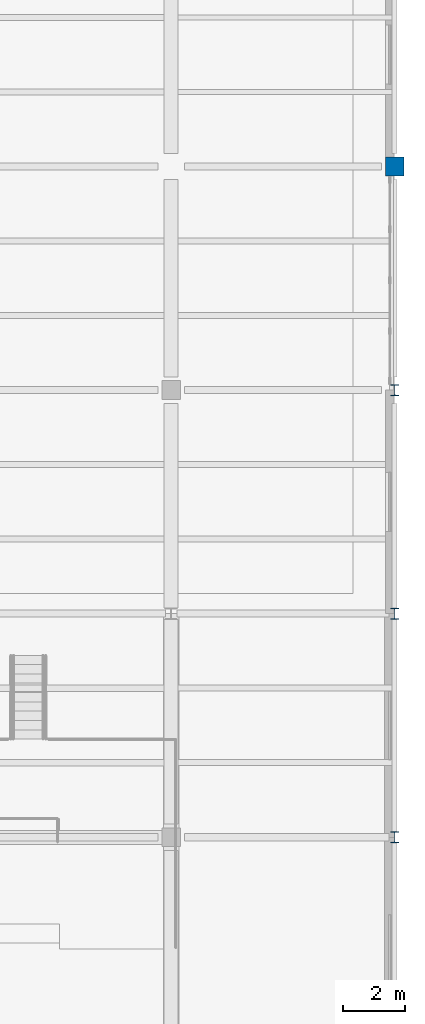
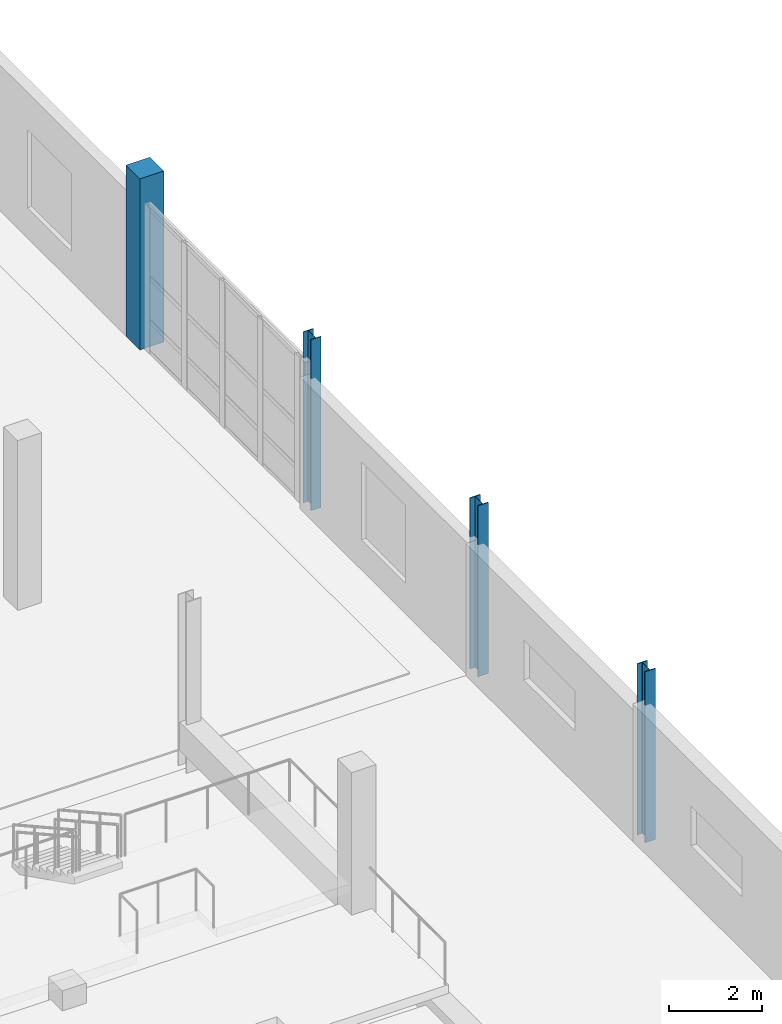
# One storey, part 21 of 123: 4 columns.
"""IFC4 building model written with IfcOpenShell, lengths in metres."""

import ifcopenshell
import ifcopenshell.guid

model = None  # the IFC model being written
_history = None  # IfcOwnerHistory: only IFC2X3 demands one
_inside = {}  # id of a spatial element -> (the spatial element, [elements in it])
_under = {}  # id of a project, library or spatial element -> (it, [spatial elements below it])
_declared = {}  # id of a project -> (the project, [libraries it declares])
_typed = {}  # id of a type object -> (the type object, [elements of that type])
_made_of = {}  # id of a material, layer set ... -> (it, [elements and type objects made of it])


def new_model(schema):
    """Start an empty IFC model of exactly this schema.

    Asked for "IFC4X3", IfcOpenShell would pick the latest addendum, in which some entities
    have other attributes; the version numbers below select the first issue.
    IFC2X3 requires an IfcOwnerHistory on every rooted entity: one is made here for all.
    """
    global model, _history
    if schema == "IFC4X3":
        model = ifcopenshell.file(schema_version=(4, 3, 0, 0))
    else:
        model = ifcopenshell.file(schema=schema)
    _inside.clear()
    _under.clear()
    _declared.clear()
    _typed.clear()
    _made_of.clear()
    _history = None
    if model.schema == "IFC2X3":
        org = make("IfcOrganization", Name="unknown")
        user = make(
            "IfcPersonAndOrganization",
            ThePerson=make("IfcPerson", FamilyName="unknown"),
            TheOrganization=org,
        )
        app = make(
            "IfcApplication",
            ApplicationDeveloper=org,
            Version="unknown",
            ApplicationFullName="unknown",
            ApplicationIdentifier="unknown",
        )
        _history = make(
            "IfcOwnerHistory",
            OwningUser=user,
            OwningApplication=app,
            ChangeAction="ADDED",
            CreationDate=0,
        )
    return model


def make(cls, **values):
    """One entity of the class cls with the attributes given. An attribute that is None is left unset."""
    return model.create_entity(
        cls, **{name: value for name, value in values.items() if value is not None}
    )


def rooted(cls, **values):
    """An entity with a GlobalId (a new one), such as an element, a storey or a relation."""
    return make(cls, GlobalId=ifcopenshell.guid.new(), OwnerHistory=_history, **values)


def si_unit(unit_type, name, prefix=None):
    """IfcSIUnit, for example si_unit("LENGTHUNIT", "METRE", prefix="MILLI")."""
    return make("IfcSIUnit", UnitType=unit_type, Prefix=prefix, Name=name)


def assignment(units):
    """IfcUnitAssignment: the units of a project."""
    return None if units is None else make("IfcUnitAssignment", Units=units)


def point(xyz):
    """IfcCartesianPoint."""
    return None if xyz is None else make("IfcCartesianPoint", Coordinates=xyz)


def direction(xyz):
    """IfcDirection."""
    return None if xyz is None else make("IfcDirection", DirectionRatios=xyz)


def frame(location, z_axis=None, x_axis=None):
    """IfcAxis2Placement3D, a coordinate frame: its origin and axes. An axis left out is left unset."""
    return make(
        "IfcAxis2Placement3D",
        Location=point(location),
        Axis=direction(z_axis),
        RefDirection=direction(x_axis),
    )


def frame_2d(location, x_axis=None):
    """IfcAxis2Placement2D, a coordinate frame in the plane: its origin and x axis."""
    return make(
        "IfcAxis2Placement2D", Location=point(location), RefDirection=direction(x_axis)
    )


def origin():
    """The frame at (0, 0, 0) with its axes left unset."""
    return frame((0.0, 0.0, 0.0))


def origin_2d():
    """The frame at (0, 0) in the plane with its x axis left unset."""
    return frame_2d((0.0, 0.0))


def place(relative_to, where):
    """IfcLocalPlacement: puts the frame where relative to a parent placement (None: the world)."""
    return make(
        "IfcLocalPlacement", PlacementRelTo=relative_to, RelativePlacement=where
    )


def context(
    kind, dimensions, precision=None, world=None, true_north=None, identifier=None
):
    """IfcGeometricRepresentationContext, for example the 3D "Model" context."""
    return make(
        "IfcGeometricRepresentationContext",
        ContextIdentifier=identifier,
        ContextType=kind,
        CoordinateSpaceDimension=dimensions,
        Precision=precision,
        WorldCoordinateSystem=world,
        TrueNorth=true_north,
    )


def subcontext(parent, identifier, kind, view, scale=None):
    """IfcGeometricRepresentationSubContext, for example "Body" below "Model"."""
    return make(
        "IfcGeometricRepresentationSubContext",
        ContextIdentifier=identifier,
        ContextType=kind,
        ParentContext=parent,
        TargetScale=scale,
        TargetView=view,
    )


def project(units=None, contexts=None):
    """IfcProject with its units and contexts."""
    return rooted(
        "IfcProject",
        Name="project",
        RepresentationContexts=contexts,
        UnitsInContext=assignment(units),
    )


def spatial(cls, under=None, at=None, **own):
    """A site, building, storey or space (cls), placed at a placement, below another one or the project."""
    s = rooted(cls, ObjectPlacement=at, **own)
    if under is not None:
        _under.setdefault(under.id(), (under, []))[1].append(s)
    return s


def profile(cls, at=None, kind="AREA", **sizes):
    """A parametric profile (cls). Its sizes go by their IFC names, for example OverallWidth=200.0."""
    return make(cls, ProfileType=kind, Position=at, **sizes)


def rectangle(**sizes):
    """IfcRectangleProfileDef."""
    return profile("IfcRectangleProfileDef", **sizes)


def i_section(**sizes):
    """IfcIShapeProfileDef."""
    return profile("IfcIShapeProfileDef", **sizes)


def extrude(swept, where, along, depth):
    """IfcExtrudedAreaSolid: the profile swept, set in the frame where, extruded along a direction by depth."""
    return make(
        "IfcExtrudedAreaSolid",
        SweptArea=swept,
        Position=where,
        ExtrudedDirection=direction(along),
        Depth=depth,
    )


def shape(context_of_items, identifier, shape_type, items):
    """IfcShapeRepresentation: the items that make up one representation, for example the "Body"."""
    return make(
        "IfcShapeRepresentation",
        ContextOfItems=context_of_items,
        RepresentationIdentifier=identifier,
        RepresentationType=shape_type,
        Items=items,
    )


def material(Name=None, Category=None):
    """IfcMaterial."""
    return make("IfcMaterial", Name=Name, Category=Category)


def material_profile(
    of_material, cross_section, Name=None, Category=None, Priority=None
):
    """IfcMaterialProfile: a cross section and its material."""
    return make(
        "IfcMaterialProfile",
        Name=Name,
        Material=of_material,
        Profile=cross_section,
        Priority=Priority,
        Category=Category,
    )


def profile_set(profiles, Name=None, composite=None):
    """IfcMaterialProfileSet."""
    return make(
        "IfcMaterialProfileSet",
        Name=Name,
        MaterialProfiles=profiles,
        CompositeProfile=composite,
    )


def made_of(thing, what):
    """Note that an element or type object is made of a material, layer set ...; save() writes the relation."""
    if what is not None:
        _made_of.setdefault(what.id(), (what, []))[1].append(thing)
    return thing


def type_object(cls, material=None, **own):
    """A type object (cls), such as IfcWallType, which elements share."""
    return made_of(rooted(cls, **own), material)


def element(
    cls,
    number,
    at=None,
    inside=None,
    cuts=None,
    type_object=None,
    material=None,
    context=None,
    identifier="Body",
    shape_type=None,
    held_by="IfcProductDefinitionShape",
    body=None,
    shapes=None,
    **own,
):
    """One element of the class cls, such as IfcWall. Its Tag is "e" and its number.

    at: its placement. inside: the storey or other place that contains it. cuts: it is an
    opening in that element (IfcRelVoidsElement). A single representation is given by context,
    identifier, shape_type and body (its items); several are given by shapes. held_by: the class
    of the entity that holds the representations. save() writes the other relations.
    """
    e = rooted(cls, Tag="e%d" % number, ObjectPlacement=at, **own)
    if body is not None:
        shapes = [shape(context, identifier, shape_type, body)]
    if shapes is not None:
        e.Representation = make(held_by, Representations=shapes)
    if inside is not None:
        _inside.setdefault(inside.id(), (inside, []))[1].append(e)
    if cuts is not None:
        rooted(
            "IfcRelVoidsElement", RelatingBuildingElement=cuts, RelatedOpeningElement=e
        )
    if type_object is not None:
        _typed.setdefault(type_object.id(), (type_object, []))[1].append(e)
    return made_of(e, material)


def aggregate(whole, parts):
    """IfcRelAggregates: a whole, such as a stair, and the parts it consists of."""
    return rooted("IfcRelAggregates", RelatingObject=whole, RelatedObjects=parts)


def save(model, path):
    """Write the relations noted so far, then the file.

    IfcRelAggregates (storeys below a building ...), IfcRelContainedInSpatialStructure (elements
    in a storey), IfcRelDefinesByType, IfcRelAssociatesMaterial and IfcRelDeclares: one each for
    every whole, place, type object, material and project.
    """
    for whole, parts in _under.values():
        aggregate(whole, parts)
    for where, things in _inside.values():
        rooted(
            "IfcRelContainedInSpatialStructure",
            RelatedElements=things,
            RelatingStructure=where,
        )
    for kind, things in _typed.values():
        rooted("IfcRelDefinesByType", RelatedObjects=things, RelatingType=kind)
    for what, things in _made_of.values():
        rooted("IfcRelAssociatesMaterial", RelatedObjects=things, RelatingMaterial=what)
    for by, libraries in _declared.values():
        rooted("IfcRelDeclares", RelatingContext=by, RelatedDefinitions=libraries)
    model.write(path)


model = new_model("IFC4")

# Units and contexts
model_context = context("Model", 3, precision=1e-05, world=origin(), true_north=direction((0.0, 1.0)))
body_context = subcontext(model_context, "Body", "Model", "MODEL_VIEW")
ifc_project = project(units=[si_unit("LENGTHUNIT", "METRE"), si_unit("AREAUNIT", "SQUARE_METRE"), si_unit("VOLUMEUNIT", "CUBIC_METRE"), si_unit("PLANEANGLEUNIT", "RADIAN"), si_unit("MASSUNIT", "GRAM", prefix="KILO")], contexts=[model_context])

# Site, building, storey
site_placement = place(None, origin())
site = spatial("IfcSite", under=ifc_project, at=site_placement, CompositionType="ELEMENT")
building_placement = place(site_placement, origin())
building = spatial("IfcBuilding", under=site, at=building_placement, Name="Kalmorath City Hall", CompositionType="ELEMENT")
storey_placement = place(building_placement, frame((0.0, 0.0, 10.199951171875)))
storey = spatial("IfcBuildingStorey", under=building, at=storey_placement, Name="L02", CompositionType="ELEMENT", Elevation=10.199951171875)

# Columns
ifc_material_1 = material(Name="Concrete C50/60", Category="concrete")
ifc_material_profile_1 = material_profile(ifc_material_1, rectangle(XDim=0.60009765625, YDim=0.60009765625, at=origin_2d()), Name="RC-COL-600X600")
ifc_profile_set_1 = profile_set([ifc_material_profile_1], Name="Concrete C50/60")
column_type_1 = type_object("IfcColumnType", Name="Concrete column 600x600", PredefinedType="COLUMN", material=ifc_profile_set_1)
column_1_placement = place(storey_placement, frame((165.60009765625, 57.60009765625, 0.0), z_axis=(0.0, 0.0, 1.0), x_axis=(1.0, 0.0, 0.0)))
element("IfcColumn", 1, at=column_1_placement, inside=storey, type_object=column_type_1, Name="L02 column C6 (24/9)", PredefinedType="COLUMN", context=body_context, shape_type="SweptSolid", body=[
    extrude(rectangle(XDim=0.60009765625, YDim=0.60009765625, at=origin_2d()), origin(), (0.0, 0.0, 1.0), 4.5),
])
ifc_material_2 = material(Name="Steel ASTM A992 Grade 50", Category="steel")
ifc_material_profile_2 = material_profile(ifc_material_2, i_section(OverallWidth=0.25390625, OverallDepth=0.35302734375, WebThickness=0.009521484375, FlangeThickness=0.016357421875, FilletRadius=0.014892578125, at=origin_2d()), Name="W14X61")
ifc_profile_set_2 = profile_set([ifc_material_profile_2], Name="Steel ASTM A992 Grade 50")
column_type_2 = type_object("IfcColumnType", Name="Steel wide-flange column W14X61", PredefinedType="COLUMN", material=ifc_profile_set_2)
column_2_placement = place(storey_placement, frame((165.60009765625, 50.39990234375, 0.0), z_axis=(0.0, 0.0, 1.0), x_axis=(1.0, 0.0, 0.0)))
element("IfcColumn", 2, at=column_2_placement, inside=storey, type_object=column_type_2, Name="L02 column SC1 (24/8)", PredefinedType="COLUMN", context=body_context, shape_type="SweptSolid", body=[
    extrude(i_section(OverallWidth=0.25390625, OverallDepth=0.35302734375, WebThickness=0.009521484375, FlangeThickness=0.016357421875, FilletRadius=0.014892578125, at=origin_2d()), origin(), (0.0, 0.0, 1.0), 4.5),
])
ifc_material_3 = material(Name="Steel ASTM A992 Grade 50", Category="steel")
ifc_material_profile_3 = material_profile(ifc_material_3, i_section(OverallWidth=0.256103515625, OverallDepth=0.360107421875, WebThickness=0.011474609375, FlangeThickness=0.02001953125, FilletRadius=0.014892578125, at=origin_2d()), Name="W14X74")
ifc_profile_set_3 = profile_set([ifc_material_profile_3], Name="Steel ASTM A992 Grade 50")
column_type_3 = type_object("IfcColumnType", Name="Steel wide-flange column W14X74", PredefinedType="COLUMN", material=ifc_profile_set_3)
for number, where, z_axis, x_axis, name in (
    (3, (165.60009765625, 36.0, 0.0), (0.0, 0.0, 1.0), (1.0, 0.0, 0.0), "L02 column SC4 (24/6)"),
    (4, (165.60009765625, 43.199951171875, 0.0), (0.0, 0.0, 1.0), (1.0, 0.0, 0.0), "L02 column SC4 (24/7)"),
):
    element("IfcColumn", number, at=place(storey_placement, frame(where, z_axis=z_axis, x_axis=x_axis)), inside=storey, type_object=column_type_3, Name=name, PredefinedType="COLUMN", context=body_context, shape_type="SweptSolid", body=[
        extrude(i_section(OverallWidth=0.256103515625, OverallDepth=0.360107421875, WebThickness=0.011474609375, FlangeThickness=0.02001953125, FilletRadius=0.014892578125, at=origin_2d()), origin(), (0.0, 0.0, 1.0), 4.5),
    ])

save(model, "model.ifc")
